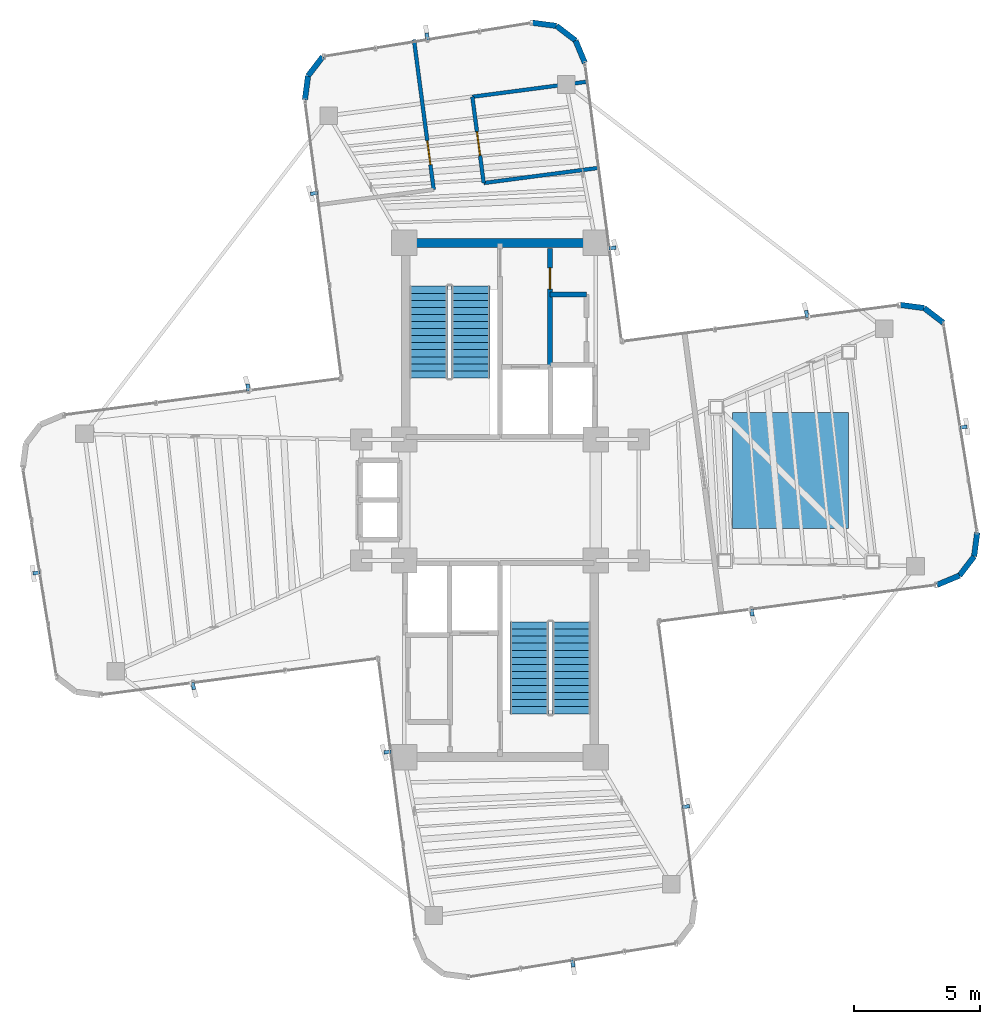
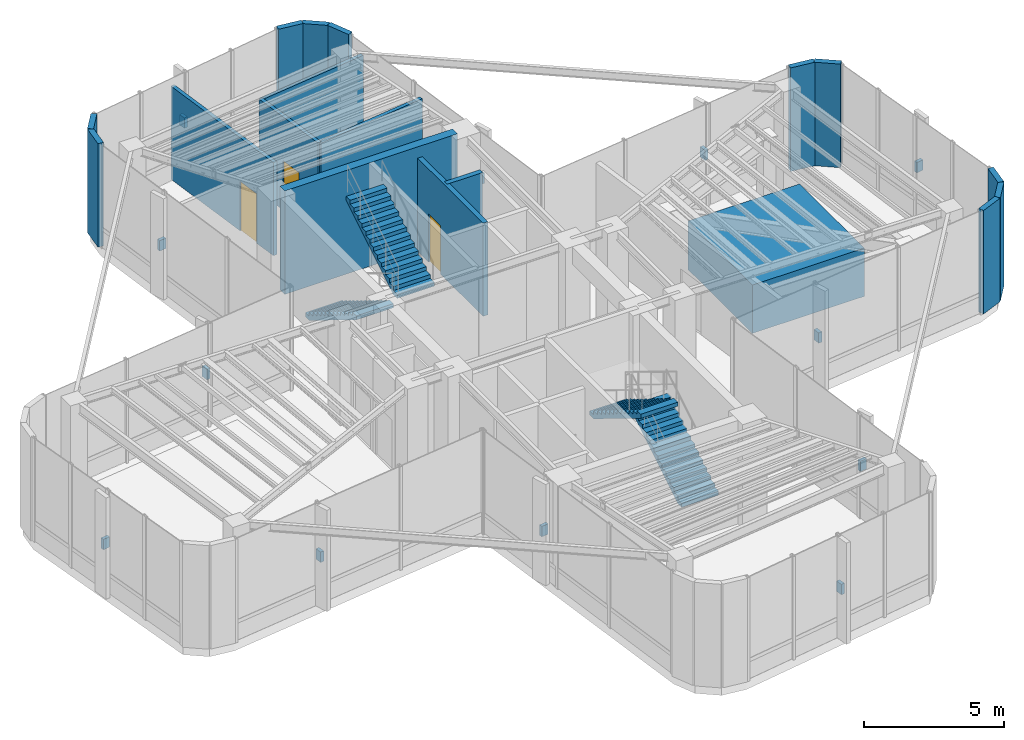
# One storey, part 15 of 16: 17 walls, 13 discrete accessories, 4 stair flights, 3 doors, 3 openings, 2 elements without a shape of their own.
"""IFC4 building model written with IfcOpenShell, lengths in metres."""

from ifc_helpers import new_model, si_unit, direction, frame, frame_2d, origin, origin_2d, place, context, subcontext, project, spatial, polyline, rectangle, outline, extrude, source, transform, mapped, material, layer, layer_set, type_object, element, fill, aggregate, save


model = new_model("IFC4")

# Units and contexts
model_context = context("Model", 3, precision=1e-05, world=origin(), true_north=direction((0.0, 1.0)))
body_context = subcontext(model_context, "Body", "Model", "MODEL_VIEW")
ifc_project = project(units=[si_unit("LENGTHUNIT", "METRE"), si_unit("AREAUNIT", "SQUARE_METRE"), si_unit("VOLUMEUNIT", "CUBIC_METRE"), si_unit("PLANEANGLEUNIT", "RADIAN"), si_unit("MASSUNIT", "GRAM", prefix="KILO")], contexts=[model_context])

# Site, building, storey
site_placement = place(None, origin())
site = spatial("IfcSite", under=ifc_project, at=site_placement, CompositionType="ELEMENT")
building_placement = place(site_placement, origin())
building = spatial("IfcBuilding", under=site, at=building_placement, Name="Sahyath Konkavel Grand Hotel", CompositionType="ELEMENT")
storey_placement = place(building_placement, frame((0.0, 0.0, 280.300048828125)))
storey = spatial("IfcBuildingStorey", under=building, at=storey_placement, Name="L78", CompositionType="ELEMENT", Elevation=280.300048828125)

# Walls
ifc_material_1 = material(Name="Concrete C40/50", Category="concrete")
ifc_layer_1 = layer(ifc_material_1, 0.35009765625)
ifc_layer_set_1 = layer_set([ifc_layer_1], Name="Concrete C40/50")
wall_type_1 = type_object("IfcWallType", Name="CWALL-350", PredefinedType="SHEAR", material=ifc_layer_set_1)
wall_1_placement = place(storey_placement, frame((-3.550048828125, 10.199951171875, 0.0), z_axis=(0.0, 0.0, 1.0), x_axis=(1.0, 0.0, 0.0)))
element("IfcWall", 1, at=wall_1_placement, inside=storey, type_object=wall_type_1, Name="L78 North Core Shear Wall N", PredefinedType="SHEAR", context=body_context, shape_type="SweptSolid", body=[
    extrude(rectangle(XDim=7.10009765625, YDim=0.35009765625, at=frame_2d((3.550048828125, 0.0))), origin(), (0.0, 0.0, 1.0), 4.5),
])
ifc_material_2 = material(Name="Warm Buff Sandstone Insulated Concrete C40/50", Category="masonry")
ifc_layer_2 = layer(ifc_material_2, 0.219970703125)
ifc_layer_set_2 = layer_set([ifc_layer_2], Name="Warm Buff Sandstone Insulated Concrete C40/50")
wall_type_2 = type_object("IfcWallType", Name="WLL-BALC-THRESH", PredefinedType="STANDARD", material=ifc_layer_set_2)
for number, where, z_axis, x_axis, name in (
    (2, (17.337646484375, -3.36572265625, 0.0), (0.0, 0.0, 1.0), (0.923889442397, 0.382659506909, 0.0), "L78 Rounded Corner Sandstone Pier 1"),
    (3, (18.222412109375, -2.999267578125, 0.0), (0.0, 0.0, 1.0), (0.608774010809, 0.793343685778, 0.0), "L78 Rounded Corner Sandstone Pier 2"),
    (4, (18.805419921875, -2.239501953125, 0.0), (0.0, 0.0, 1.0), (0.130527053476, 0.991444747987, 0.0), "L78 Rounded Corner Sandstone Pier 3"),
):
    element("IfcWall", number, at=place(storey_placement, frame(where, z_axis=z_axis, x_axis=x_axis)), inside=storey, type_object=wall_type_2, Name=name, PredefinedType="STANDARD", context=body_context, shape_type="SweptSolid", body=[
        extrude(rectangle(XDim=0.957763671875, YDim=0.219970703125, at=frame_2d((0.47900390625, 0.0))), origin(), (0.0, 0.0, 1.0), 4.5),
    ])
wall_2_placement = place(storey_placement, frame((17.5849609375, 7.030517578125, 0.0), z_axis=(0.0, 0.0, 1.0), x_axis=(-0.793466811674, 0.60861352168, 0.0)))
element("IfcWall", 5, at=wall_2_placement, inside=storey, type_object=wall_type_2, Name="L78 Rounded Corner Sandstone Pier 5", PredefinedType="STANDARD", context=body_context, shape_type="SweptSolid", body=[
    extrude(rectangle(XDim=0.95751953125, YDim=0.219970703125, at=frame_2d((0.478759765625, 0.0))), origin(), (0.0, 0.0, 1.0), 4.5),
])
for number, where, z_axis, x_axis, name in (
    (6, (16.8251953125, 7.61328125, 0.0), (0.0, 0.0, 1.0), (-0.991444747987, 0.130527053476, 0.0), "L78 Rounded Corner Sandstone Pier 6"),
    (7, (3.36572265625, 17.337646484375, 0.0), (0.0, 0.0, 1.0), (-0.382659506909, 0.923889442397, 0.0), "L78 Rounded Corner Sandstone Pier 9"),
    (8, (2.999267578125, 18.222412109375, 0.0), (0.0, 0.0, 1.0), (-0.793343685778, 0.608774010809, 0.0), "L78 Rounded Corner Sandstone Pier 10"),
    (9, (2.239501953125, 18.805419921875, 0.0), (0.0, 0.0, 1.0), (-0.991444747987, 0.130527053476, 0.0), "L78 Rounded Corner Sandstone Pier 11"),
):
    element("IfcWall", number, at=place(storey_placement, frame(where, z_axis=z_axis, x_axis=x_axis)), inside=storey, type_object=wall_type_2, Name=name, PredefinedType="STANDARD", context=body_context, shape_type="SweptSolid", body=[
        extrude(rectangle(XDim=0.957763671875, YDim=0.219970703125, at=frame_2d((0.47900390625, 0.0))), origin(), (0.0, 0.0, 1.0), 4.5),
    ])
wall_3_placement = place(storey_placement, frame((-7.030517578125, 17.5849609375, 0.0), z_axis=(0.0, 0.0, 1.0), x_axis=(-0.60861352168, -0.793466811674, 0.0)))
element("IfcWall", 10, at=wall_3_placement, inside=storey, type_object=wall_type_2, Name="L78 Rounded Corner Sandstone Pier 13", PredefinedType="STANDARD", context=body_context, shape_type="SweptSolid", body=[
    extrude(rectangle(XDim=0.95751953125, YDim=0.219970703125, at=frame_2d((0.478759765625, 0.0))), origin(), (0.0, 0.0, 1.0), 4.5),
])
wall_4_placement = place(storey_placement, frame((-7.61328125, 16.8251953125, 0.0), z_axis=(0.0, 0.0, 1.0), x_axis=(-0.130527053476, -0.991444747987, 0.0)))
element("IfcWall", 11, at=wall_4_placement, inside=storey, type_object=wall_type_2, Name="L78 Rounded Corner Sandstone Pier 14", PredefinedType="STANDARD", context=body_context, shape_type="SweptSolid", body=[
    extrude(rectangle(XDim=0.957763671875, YDim=0.219970703125, at=frame_2d((0.47900390625, 0.0))), origin(), (0.0, 0.0, 1.0), 4.5),
])

# Wall, opening, door
ifc_layer_3 = layer(ifc_material_1, 0.199951171875)
ifc_layer_set_3 = layer_set([ifc_layer_3], Name="Concrete C40/50")
wall_type_3 = type_object("IfcWallType", Name="WLL-CORE-200", PredefinedType="SOLIDWALL", material=ifc_layer_set_3)
wall_5_placement = place(storey_placement, frame((1.97998046875, 5.320068359375, 0.0), z_axis=(0.0, 0.0, 1.0), x_axis=(0.0, 1.0, 0.0)))
wall_5 = element("IfcWall", 12, at=wall_5_placement, inside=storey, type_object=wall_type_3, Name="L78 North Firefighting Lobby Wall E", PredefinedType="SOLIDWALL", context=body_context, shape_type="SweptSolid", body=[
    extrude(rectangle(XDim=4.659912109375, YDim=0.199951171875, at=frame_2d((2.330078125, 0.0))), origin(), (0.0, 0.0, 1.0), 4.050048828125),
])
opening_1_placement = place(wall_5_placement, frame((3.0400390625, 0.0, 0.0)))
opening_1 = element("IfcOpeningElement", 13, at=opening_1_placement, cuts=wall_5, Name="Opening D-F12D", PredefinedType="OPENING", context=body_context, shape_type="SweptSolid", body=[
    extrude(rectangle(XDim=0.85009765625, YDim=2.10009765625, at=frame_2d((0.425048828125, 1.050048828125))), frame((0.0, 0.10986328125, 0.0), z_axis=(0.0, -1.0, 0.0), x_axis=(1.0, 0.0, 0.0)), (0.0, 0.0, 1.0), 0.219970703125),
])
ifc_material_3 = material(Name="Steel E350 Core Fire Door", Category="steel")
door_type_1 = type_object("IfcDoorType", Name="DR-FD120-850", OperationType="NOTDEFINED", PredefinedType="DOOR", material=ifc_material_3)
shared_shape_1 = source(origin(), body_context, "Body", "SweptSolid", [
    extrude(rectangle(XDim=0.85009765625, YDim=0.050048828125, at=origin_2d()), origin(), (0.0, 0.0, 1.0), 2.10009765625),
])
door_1_placement = place(opening_1_placement, frame((0.425048828125, 0.0, 0.0)))
door_1 = element("IfcDoor", 14, at=door_1_placement, inside=storey, type_object=door_type_1, Name="L78 North Firefighting Lobby Door", OperationType="SINGLE_SWING_RIGHT", OverallHeight=2.10009765625, OverallWidth=0.85009765625, PredefinedType="DOOR", context=body_context, shape_type="MappedRepresentation", body=[
    mapped(shared_shape_1, transform((0.0, 0.0, 0.0), scale=1.0)),
])
fill(opening_1, door_1)

# Wall
wall_6_placement = place(storey_placement, frame((1.97998046875, 8.14990234375, 0.0), z_axis=(0.0, 0.0, 1.0), x_axis=(1.0, 0.0, 0.0)))
element("IfcWall", 15, at=wall_6_placement, inside=storey, type_object=wall_type_3, Name="L78 Partition NC-REC-N", PredefinedType="SOLIDWALL", context=body_context, shape_type="SweptSolid", body=[
    extrude(rectangle(XDim=1.4599609375, YDim=0.199951171875, at=frame_2d((0.72998046875, 0.0))), origin(), (0.0, 0.0, 1.0), 4.050048828125),
])

# Wall, opening, door
ifc_material_4 = material(Name="Fire-Rated Gypsum Plasterboard Partition")
ifc_layer_4 = layer(ifc_material_4, 0.14990234375)
ifc_layer_set_4 = layer_set([ifc_layer_4], Name="Fire-Rated Gypsum Plasterboard Partition")
wall_type_4 = type_object("IfcWallType", Name="WLL-PART-150", PredefinedType="PARTITIONING", material=ifc_layer_set_4)
wall_7_placement = place(storey_placement, frame((-2.62939453125, 12.31201171875, 0.0), z_axis=(0.0, 0.0, 1.0), x_axis=(-0.130532401413, 0.991444043898, 0.0)))
wall_7 = element("IfcWall", 16, at=wall_7_placement, inside=storey, type_object=wall_type_4, Name="L78 Partition L78-CTRL-C", PredefinedType="PARTITIONING", context=body_context, shape_type="SweptSolid", body=[
    extrude(rectangle(XDim=6.0, YDim=0.14990234375, at=frame_2d((3.0, 0.0))), origin(), (0.0, 0.0, 1.0), 4.050048828125),
])
opening_2_placement = place(wall_7_placement, frame((1.0, 0.0, 0.0)))
opening_2 = element("IfcOpeningElement", 17, at=opening_2_placement, cuts=wall_7, Name="Opening D-F06B", PredefinedType="OPENING", context=body_context, shape_type="SweptSolid", body=[
    extrude(rectangle(XDim=0.949951171875, YDim=2.14990234375, at=frame_2d((0.47509765625, 1.074951171875))), frame((0.0, 0.0849609375, 0.0), z_axis=(0.0, -1.0, 0.0), x_axis=(1.0, 0.0, 0.0)), (0.0, 0.0, 1.0), 0.169921875),
])
ifc_material_5 = material(Name="Teak Veneer Fire-Rated Guest Entrance Door")
door_type_2 = type_object("IfcDoorType", Name="DR-FD60-950", OperationType="NOTDEFINED", PredefinedType="DOOR", material=ifc_material_5)
shared_shape_2 = source(origin(), body_context, "Body", "SweptSolid", [
    extrude(rectangle(XDim=0.949951171875, YDim=0.050048828125, at=origin_2d()), origin(), (0.0, 0.0, 1.0), 2.14990234375),
])
door_2_placement = place(opening_2_placement, frame((0.47509765625, 0.0, 0.0)))
door_2 = element("IfcDoor", 18, at=door_2_placement, inside=storey, type_object=door_type_2, Name="L78 Door L78-CTRL-D", OperationType="SINGLE_SWING_LEFT", OverallHeight=2.14990234375, OverallWidth=0.949951171875, PredefinedType="DOOR", context=body_context, shape_type="MappedRepresentation", body=[
    mapped(shared_shape_2, transform((0.0, 0.0, 0.0), scale=1.0)),
])
fill(opening_2, door_2)

wall_8_placement = place(storey_placement, frame((-0.646728515625, 12.5732421875, 0.0), z_axis=(0.0, 0.0, 1.0), x_axis=(-0.130494785718, 0.991448995612, 0.0)))
wall_8 = element("IfcWall", 19, at=wall_8_placement, inside=storey, type_object=wall_type_4, Name="L78 Partition L78-AWC-C", PredefinedType="PARTITIONING", context=body_context, shape_type="SweptSolid", body=[
    extrude(rectangle(XDim=3.449951171875, YDim=0.14990234375, at=frame_2d((1.72509765625, 0.0))), origin(), (0.0, 0.0, 1.0), 4.050048828125),
])
opening_3_placement = place(wall_8_placement, frame((1.10009765625, 0.0, 0.0)))
opening_3 = element("IfcOpeningElement", 20, at=opening_3_placement, cuts=wall_8, Name="Opening D-AC95", PredefinedType="OPENING", context=body_context, shape_type="SweptSolid", body=[
    extrude(rectangle(XDim=0.949951171875, YDim=2.14990234375, at=frame_2d((0.47509765625, 1.074951171875))), frame((0.0, 0.0849609375, 0.0), z_axis=(0.0, -1.0, 0.0), x_axis=(1.0, 0.0, 0.0)), (0.0, 0.0, 1.0), 0.169921875),
])
ifc_material_6 = material(Name="Accessible Washroom Timber Door", Category="wood")
door_type_3 = type_object("IfcDoorType", Name="DR-ACC-950", OperationType="NOTDEFINED", PredefinedType="DOOR", material=ifc_material_6)
door_3_placement = place(opening_3_placement, frame((0.47509765625, 0.0, 0.0)))
door_3 = element("IfcDoor", 21, at=door_3_placement, inside=storey, type_object=door_type_3, Name="L78 Door L78-AWC-D", OperationType="SINGLE_SWING_RIGHT", OverallHeight=2.14990234375, OverallWidth=0.949951171875, PredefinedType="DOOR", context=body_context, shape_type="MappedRepresentation", body=[
    mapped(shared_shape_2, transform((0.0, 0.0, 0.0), scale=1.0)),
])
fill(opening_3, door_3)

# Walls
wall_9_placement = place(storey_placement, frame((3.864501953125, 13.1669921875, 0.0), z_axis=(0.0, 0.0, 1.0), x_axis=(-0.991449546596, -0.130490599487, 0.0)))
element("IfcWall", 22, at=wall_9_placement, inside=storey, type_object=wall_type_4, Name="L78 Partition L78-AWC-S", PredefinedType="PARTITIONING", context=body_context, shape_type="SweptSolid", body=[
    extrude(rectangle(XDim=4.550048828125, YDim=0.14990234375, at=frame_2d((2.27490234375, 0.0))), origin(), (0.0, 0.0, 1.0), 4.050048828125),
])
wall_10_placement = place(storey_placement, frame((3.4140625, 16.58740234375, 0.0), z_axis=(0.0, 0.0, 1.0), x_axis=(-0.991448632885, -0.130497541548, 0.0)))
element("IfcWall", 23, at=wall_10_placement, inside=storey, type_object=wall_type_4, Name="L78 Partition L78-AWC-N", PredefinedType="PARTITIONING", context=body_context, shape_type="SweptSolid", body=[
    extrude(rectangle(XDim=4.5498046875, YDim=0.14990234375, at=frame_2d((2.27490234375, 0.0))), origin(), (0.0, 0.0, 1.0), 4.02001953125),
])

# Stair, stair flights
stair_type = type_object("IfcStairType", Name="STR-ST16-480", PredefinedType="HALF_TURN_STAIR", material=ifc_material_1)
stair_1_placement = place(storey_placement, origin())
stair_1 = element("IfcStair", 24, at=stair_1_placement, inside=storey, type_object=stair_type, Name="L78 North Core Smokeproof Exit Stair ST-1", PredefinedType="HALF_TURN_STAIR")
stair_flight_type = type_object("IfcStairFlightType", Name="STF-ST16-480", PredefinedType="STRAIGHT", material=ifc_material_1)
stair_flight_1_placement = place(storey_placement, frame((-2.840087890625, 8.47998046875, 0.0), z_axis=(0.0, 0.0, 1.0), x_axis=(0.0, -1.0, 0.0)))
stair_flight_1 = element("IfcStairFlight", 25, at=stair_flight_1_placement, type_object=stair_flight_type, Name="ST-1 flight 1", NumberOfRisers=14, NumberOfTreads=13, PredefinedType="STRAIGHT", RiserHeight=0.171428571, TreadLength=0.28, context=body_context, shape_type="SweptSolid", body=[
    extrude(outline(polyline([(0.0, 0.0), (0.0, 0.17138671875), (0.280029296875, 0.17138671875), (0.280029296875, 0.3427734375), (0.56005859375, 0.3427734375), (0.56005859375, 0.514404296875), (0.840087890625, 0.514404296875), (0.840087890625, 0.685791015625), (1.1201171875, 0.685791015625), (1.1201171875, 0.857177734375), (1.39990234375, 0.857177734375), (1.39990234375, 1.028564453125), (1.679931640625, 1.028564453125), (1.679931640625, 1.199951171875), (1.9599609375, 1.199951171875), (1.9599609375, 1.371337890625), (2.239990234375, 1.371337890625), (2.239990234375, 1.54296875), (2.52001953125, 1.54296875), (2.52001953125, 1.71435546875), (2.800048828125, 1.71435546875), (2.800048828125, 1.8857421875), (3.080078125, 1.8857421875), (3.080078125, 2.05712890625), (3.360107421875, 2.05712890625), (3.360107421875, 2.228515625), (3.639892578125, 2.228515625), (3.639892578125, 2.39990234375), (3.639892578125, 2.052734375), (0.287109375, 0.0), (0.0, 0.0)])), frame((0.0, 0.760009765625, 0.0), z_axis=(0.0, -1.0, 0.0), x_axis=(1.0, 0.0, 0.0)), (0.0, 0.0, 1.0), 1.52001953125),
])
stair_flight_2_placement = place(storey_placement, frame((-1.159912109375, 4.840087890625, 2.39990234375), z_axis=(0.0, 0.0, 1.0), x_axis=(0.0, 1.0, 0.0)))
stair_flight_2 = element("IfcStairFlight", 26, at=stair_flight_2_placement, type_object=stair_flight_type, Name="ST-1 flight 2", NumberOfRisers=14, NumberOfTreads=13, PredefinedType="STRAIGHT", RiserHeight=0.171428571, TreadLength=0.28, context=body_context, shape_type="SweptSolid", body=[
    extrude(outline(polyline([(0.0, 0.0), (0.0, 0.17138671875), (0.280029296875, 0.17138671875), (0.280029296875, 0.3427734375), (0.56005859375, 0.3427734375), (0.56005859375, 0.514404296875), (0.840087890625, 0.514404296875), (0.840087890625, 0.685791015625), (1.1201171875, 0.685791015625), (1.1201171875, 0.857177734375), (1.39990234375, 0.857177734375), (1.39990234375, 1.028564453125), (1.679931640625, 1.028564453125), (1.679931640625, 1.199951171875), (1.9599609375, 1.199951171875), (1.9599609375, 1.371337890625), (2.239990234375, 1.371337890625), (2.239990234375, 1.54296875), (2.52001953125, 1.54296875), (2.52001953125, 1.71435546875), (2.800048828125, 1.71435546875), (2.800048828125, 1.8857421875), (3.080078125, 1.8857421875), (3.080078125, 2.05712890625), (3.360107421875, 2.05712890625), (3.360107421875, 2.228515625), (3.639892578125, 2.228515625), (3.639892578125, 2.39990234375), (3.639892578125, 2.052734375), (0.287109375, 0.0), (0.0, 0.0)])), frame((0.0, 0.760009765625, 0.0), z_axis=(0.0, -1.0, 0.0), x_axis=(1.0, 0.0, 0.0)), (0.0, 0.0, 1.0), 1.52001953125),
])
aggregate(stair_1, [stair_flight_1, stair_flight_2])

stair_2_placement = place(storey_placement, origin())
stair_2 = element("IfcStair", 27, at=stair_2_placement, inside=storey, type_object=stair_type, Name="L78 South Core Smokeproof Exit Stair ST-2", PredefinedType="HALF_TURN_STAIR")
stair_flight_3_placement = place(storey_placement, frame((2.840087890625, -8.47998046875, 0.0), z_axis=(0.0, 0.0, 1.0), x_axis=(0.0, 1.0, 0.0)))
stair_flight_3 = element("IfcStairFlight", 28, at=stair_flight_3_placement, type_object=stair_flight_type, Name="ST-2 flight 1", NumberOfRisers=14, NumberOfTreads=13, PredefinedType="STRAIGHT", RiserHeight=0.171428571, TreadLength=0.28, context=body_context, shape_type="SweptSolid", body=[
    extrude(outline(polyline([(0.0, 0.0), (0.0, 0.17138671875), (0.280029296875, 0.17138671875), (0.280029296875, 0.3427734375), (0.56005859375, 0.3427734375), (0.56005859375, 0.514404296875), (0.840087890625, 0.514404296875), (0.840087890625, 0.685791015625), (1.1201171875, 0.685791015625), (1.1201171875, 0.857177734375), (1.39990234375, 0.857177734375), (1.39990234375, 1.028564453125), (1.679931640625, 1.028564453125), (1.679931640625, 1.199951171875), (1.9599609375, 1.199951171875), (1.9599609375, 1.371337890625), (2.239990234375, 1.371337890625), (2.239990234375, 1.54296875), (2.52001953125, 1.54296875), (2.52001953125, 1.71435546875), (2.800048828125, 1.71435546875), (2.800048828125, 1.8857421875), (3.080078125, 1.8857421875), (3.080078125, 2.05712890625), (3.360107421875, 2.05712890625), (3.360107421875, 2.228515625), (3.639892578125, 2.228515625), (3.639892578125, 2.39990234375), (3.639892578125, 2.052734375), (0.287109375, 0.0), (0.0, 0.0)])), frame((0.0, 0.760009765625, 0.0), z_axis=(0.0, -1.0, 0.0), x_axis=(1.0, 0.0, 0.0)), (0.0, 0.0, 1.0), 1.52001953125),
])
stair_flight_4_placement = place(storey_placement, frame((1.159912109375, -4.840087890625, 2.39990234375), z_axis=(0.0, 0.0, 1.0), x_axis=(0.0, -1.0, 0.0)))
stair_flight_4 = element("IfcStairFlight", 29, at=stair_flight_4_placement, type_object=stair_flight_type, Name="ST-2 flight 2", NumberOfRisers=14, NumberOfTreads=13, PredefinedType="STRAIGHT", RiserHeight=0.171428571, TreadLength=0.28, context=body_context, shape_type="SweptSolid", body=[
    extrude(outline(polyline([(0.0, 0.0), (0.0, 0.17138671875), (0.280029296875, 0.17138671875), (0.280029296875, 0.3427734375), (0.56005859375, 0.3427734375), (0.56005859375, 0.514404296875), (0.840087890625, 0.514404296875), (0.840087890625, 0.685791015625), (1.1201171875, 0.685791015625), (1.1201171875, 0.857177734375), (1.39990234375, 0.857177734375), (1.39990234375, 1.028564453125), (1.679931640625, 1.028564453125), (1.679931640625, 1.199951171875), (1.9599609375, 1.199951171875), (1.9599609375, 1.371337890625), (2.239990234375, 1.371337890625), (2.239990234375, 1.54296875), (2.52001953125, 1.54296875), (2.52001953125, 1.71435546875), (2.800048828125, 1.71435546875), (2.800048828125, 1.8857421875), (3.080078125, 1.8857421875), (3.080078125, 2.05712890625), (3.360107421875, 2.05712890625), (3.360107421875, 2.228515625), (3.639892578125, 2.228515625), (3.639892578125, 2.39990234375), (3.639892578125, 2.052734375), (0.287109375, 0.0), (0.0, 0.0)])), frame((0.0, 0.760009765625, 0.0), z_axis=(0.0, -1.0, 0.0), x_axis=(1.0, 0.0, 0.0)), (0.0, 0.0, 1.0), 1.52001953125),
])
aggregate(stair_2, [stair_flight_3, stair_flight_4])

# Discrete accessories
ifc_material_7 = material(Name="Steel E350", Category="steel")
discrete_accessory_type_1 = type_object("IfcDiscreteAccessoryType", Name="ACC-TMD-MASS", PredefinedType="USERDEFINED", material=ifc_material_7)
shared_shape_3 = source(origin(), body_context, "Body", "SweptSolid", [
    extrude(rectangle(XDim=4.60009765625, YDim=4.60009765625, at=origin_2d()), origin(), (0.0, 0.0, 1.0), 2.10009765625),
])
discrete_accessory_placement = place(storey_placement, frame((11.528076171875, 1.170166015625, 0.594970703125), z_axis=(0.0, 0.0, 1.0), x_axis=(1.0, 0.0, 0.0)))
element("IfcDiscreteAccessory", 30, at=discrete_accessory_placement, inside=storey, type_object=discrete_accessory_type_1, Name="Pendulum Tuned Mass Damper Mass", ObjectType="TUNED_MASS_DAMPER", PredefinedType="USERDEFINED", context=body_context, shape_type="MappedRepresentation", body=[
    mapped(shared_shape_3, transform((0.0, 0.0, 0.0), scale=1.0)),
])
discrete_accessory_type_2 = type_object("IfcDiscreteAccessoryType", Name="ACC-FIN-BRACKET", PredefinedType="BRACKET", material=ifc_material_7)
shared_shape_4 = source(origin(), body_context, "Body", "SweptSolid", [
    extrude(rectangle(XDim=0.280029296875, YDim=0.139892578125, at=origin_2d()), origin(), (0.0, 0.0, 1.0), 0.449951171875),
])
for number, where, z_axis, x_axis, name in (
    (31, (9.998046875, -4.463134765625, 2.02490234375), (0.0, 0.0, 1.0), (0.13052619222, -0.991444861374, 0.0), "L78 Fin Support Bracket F0-1"),
    (32, (18.385986328125, 2.89111328125, 2.02490234375), (0.0, 0.0, 1.0), (0.987178088041, 0.159622750546, 0.0), "L78 Fin Support Bracket F4-2"),
    (33, (12.16064453125, 7.38037109375, 2.02490234375), (0.0, 0.0, 1.0), (-0.13052619222, 0.991444861374, 0.0), "L78 Fin Support Bracket F7-1"),
    (34, (4.463134765625, 9.998046875, 2.02490234375), (0.0, 0.0, 1.0), (0.991444861374, 0.13052619222, 0.0), "L78 Fin Support Bracket F8-1"),
    (35, (-2.89111328125, 18.385986328125, 2.02490234375), (0.0, 0.0, 1.0), (-0.159622750546, 0.987178088041, 0.0), "L78 Fin Support Bracket F12-2"),
    (36, (-7.38037109375, 12.16064453125, 2.02490234375), (0.0, 0.0, 1.0), (-0.991444861374, -0.13052619222, 0.0), "L78 Fin Support Bracket F15-1"),
    (37, (-9.998046875, 4.463134765625, 2.02490234375), (0.0, 0.0, 1.0), (-0.13052619222, 0.991444861374, 0.0), "L78 Fin Support Bracket F16-1"),
    (38, (-18.385986328125, -2.89111328125, 2.02490234375), (0.0, 0.0, 1.0), (-0.987178088041, -0.159622750546, 0.0), "L78 Fin Support Bracket F20-2"),
    (39, (-12.16064453125, -7.38037109375, 2.02490234375), (0.0, 0.0, 1.0), (0.13052619222, -0.991444861374, 0.0), "L78 Fin Support Bracket F23-1"),
    (40, (-4.463134765625, -9.998046875, 2.02490234375), (0.0, 0.0, 1.0), (-0.991444861374, -0.13052619222, 0.0), "L78 Fin Support Bracket F24-1"),
    (41, (2.89111328125, -18.385986328125, 2.02490234375), (0.0, 0.0, 1.0), (0.159622750546, -0.987178088041, 0.0), "L78 Fin Support Bracket F28-2"),
    (42, (7.38037109375, -12.16064453125, 2.02490234375), (0.0, 0.0, 1.0), (0.991444861374, 0.13052619222, 0.0), "L78 Fin Support Bracket F31-1"),
):
    element("IfcDiscreteAccessory", number, at=place(storey_placement, frame(where, z_axis=z_axis, x_axis=x_axis)), inside=storey, type_object=discrete_accessory_type_2, Name=name, PredefinedType="BRACKET", context=body_context, shape_type="MappedRepresentation", body=[
        mapped(shared_shape_4, transform((0.0, 0.0, 0.0), scale=1.0)),
    ])

save(model, "model.ifc")
